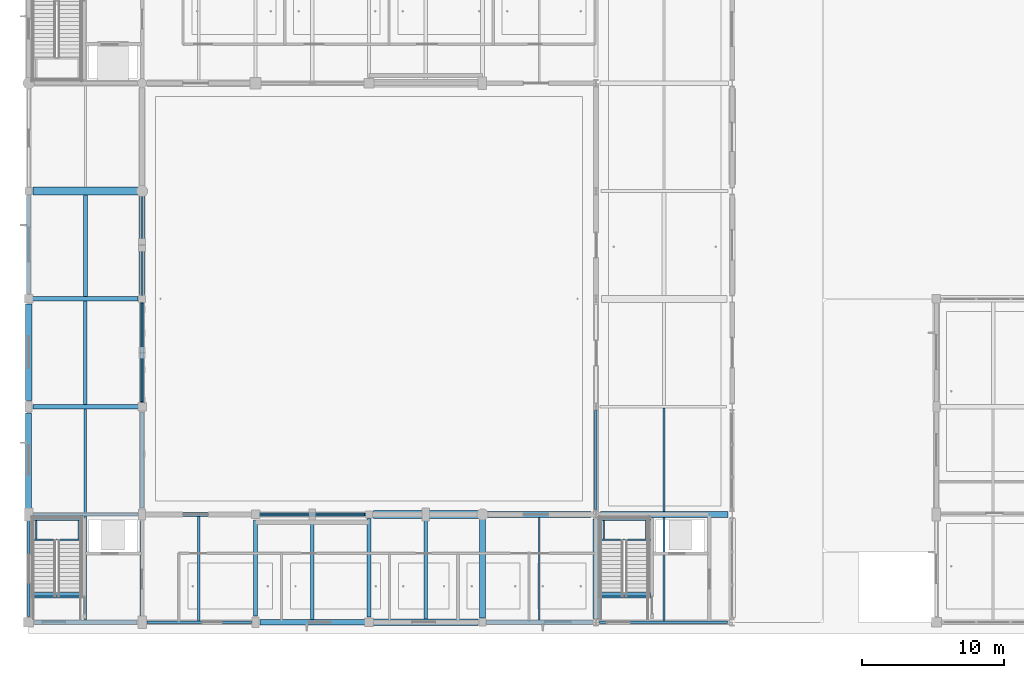
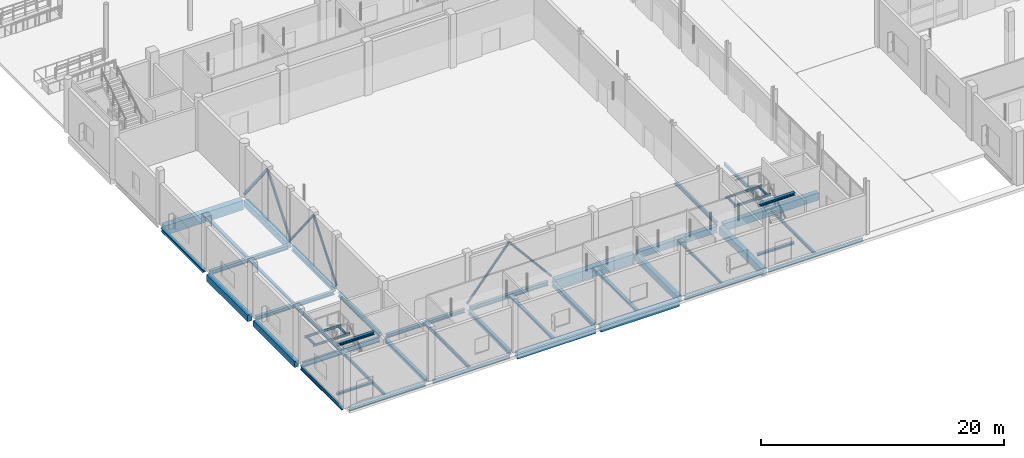
# One storey, part 11 of 126: 50 beams, 6 members.
"""IFC4 building model written with IfcOpenShell, lengths in metres."""

from ifc_helpers import new_model, si_unit, direction, frame, origin, origin_2d, place, context, subcontext, project, spatial, rectangle, hollow_rectangle, hollow_circle, i_section, extrude, material, material_profile, profile_set, type_object, element, save


model = new_model("IFC4")

# Units and contexts
model_context = context("Model", 3, precision=1e-05, world=origin(), true_north=direction((0.0, 1.0)))
body_context = subcontext(model_context, "Body", "Model", "MODEL_VIEW")
ifc_project = project(units=[si_unit("LENGTHUNIT", "METRE"), si_unit("AREAUNIT", "SQUARE_METRE"), si_unit("VOLUMEUNIT", "CUBIC_METRE"), si_unit("PLANEANGLEUNIT", "RADIAN"), si_unit("MASSUNIT", "GRAM", prefix="KILO")], contexts=[model_context])

# Site, building, storey
site_placement = place(None, origin())
site = spatial("IfcSite", under=ifc_project, at=site_placement, CompositionType="ELEMENT")
building_placement = place(site_placement, origin())
building = spatial("IfcBuilding", under=site, at=building_placement, Name="Khelvaren Railside Concert Hall", CompositionType="ELEMENT")
storey_placement = place(building_placement, origin())
storey = spatial("IfcBuildingStorey", under=building, at=storey_placement, Name="L00", CompositionType="ELEMENT", Elevation=0.0)

# Beams
ifc_material_1 = material(Name="Steel S355", Category="steel")
ifc_material_profile_1 = material_profile(ifc_material_1, i_section(OverallWidth=0.300048828125, OverallDepth=0.389892578125, WebThickness=0.010986328125, FlangeThickness=0.01904296875, FilletRadius=0.027099609375, at=origin_2d()), Name="HEA 400")
ifc_profile_set_1 = profile_set([ifc_material_profile_1], Name="Steel S355")
beam_type_1 = type_object("IfcBeamType", Name="BM23", PredefinedType="BEAM", material=ifc_profile_set_1)
for number, where, z_axis, x_axis, name in (
    (1, (16.25, 7.60009765625, -0.514892578125), (1.0, 0.0, 0.0), (0.0, 1.0, 0.0), "V1 L00 Beam X2.3"),
    (2, (0.25, 22.800048828125, -0.514892578125), (1.0, 0.0, 0.0), (0.0, 1.0, 0.0), "V1 L00 Beam X4.1"),
):
    element("IfcBeam", number, at=place(storey_placement, frame(where, z_axis=z_axis, x_axis=x_axis)), inside=storey, type_object=beam_type_1, Name=name, PredefinedType="BEAM", context=body_context, shape_type="SweptSolid", body=[
        extrude(i_section(OverallWidth=0.300048828125, OverallDepth=0.389892578125, WebThickness=0.010986328125, FlangeThickness=0.01904296875, FilletRadius=0.027099609375, at=origin_2d()), origin(), (0.0, 0.0, 1.0), 7.449951171875),
    ])
beam_1_placement = place(storey_placement, frame((8.0, 8.050048828125, -0.514892578125), z_axis=(0.0, 1.0, 0.0), x_axis=(-1.0, 0.0, 0.0)))
element("IfcBeam", 3, at=beam_1_placement, inside=storey, type_object=beam_type_1, Name="V1 L00 Beam Y2.2", PredefinedType="BEAM", context=body_context, shape_type="SweptSolid", body=[
    extrude(i_section(OverallWidth=0.300048828125, OverallDepth=0.389892578125, WebThickness=0.010986328125, FlangeThickness=0.01904296875, FilletRadius=0.027099609375, at=origin_2d()), origin(), (0.0, 0.0, 1.0), 6.77490234375),
])
beam_2_placement = place(storey_placement, frame((16.0, 0.449951171875, -0.514892578125), z_axis=(0.0, 1.0, 0.0), x_axis=(-1.0, 0.0, 0.0)))
element("IfcBeam", 4, at=beam_2_placement, inside=storey, type_object=beam_type_1, Name="V1 L00 Beam Y3.1", PredefinedType="BEAM", context=body_context, shape_type="SweptSolid", body=[
    extrude(i_section(OverallWidth=0.300048828125, OverallDepth=0.389892578125, WebThickness=0.010986328125, FlangeThickness=0.01904296875, FilletRadius=0.027099609375, at=origin_2d()), origin(), (0.0, 0.0, 1.0), 6.775146484375),
])
ifc_material_profile_2 = material_profile(ifc_material_1, i_section(OverallWidth=0.179931640625, OverallDepth=0.39990234375, WebThickness=0.008544921875, FlangeThickness=0.013427734375, FilletRadius=0.02099609375, at=origin_2d()), Name="IPE 400")
ifc_profile_set_2 = profile_set([ifc_material_profile_2], Name="Steel S355")
beam_type_2 = type_object("IfcBeamType", Name="BM29", PredefinedType="BEAM", material=ifc_profile_set_2)
beam_3_placement = place(storey_placement, frame((40.0, 7.93603515625, -0.52001953125), z_axis=(0.0, 1.0, 0.0), x_axis=(-1.0, 0.0, 0.0)))
element("IfcBeam", 5, at=beam_3_placement, inside=storey, type_object=beam_type_2, Name="V1 L00 Beam Y6.2", PredefinedType="BEAM", context=body_context, shape_type="SweptSolid", body=[
    extrude(i_section(OverallWidth=0.179931640625, OverallDepth=0.39990234375, WebThickness=0.008544921875, FlangeThickness=0.013427734375, FilletRadius=0.02099609375, at=origin_2d()), origin(), (0.0, 0.0, 1.0), 6.990966796875),
])
ifc_material_2 = material(Name="Concrete C40/50", Category="concrete")
ifc_material_profile_3 = material_profile(ifc_material_2, rectangle(XDim=0.39990234375, YDim=0.64990234375, at=origin_2d()), Name="RCB 400x650")
ifc_profile_set_3 = profile_set([ifc_material_profile_3], Name="Concrete C40/50")
beam_type_3 = type_object("IfcBeamType", Name="BM33", PredefinedType="BEAM", material=ifc_profile_set_3)
beam_4_placement = place(storey_placement, frame((32.25, 7.60009765625, -0.64501953125), z_axis=(1.0, 0.0, 0.0), x_axis=(0.0, 1.0, 0.0)))
element("IfcBeam", 6, at=beam_4_placement, inside=storey, type_object=beam_type_3, Name="V1 L00 Beam X2.5", PredefinedType="BEAM", context=body_context, shape_type="SweptSolid", body=[
    extrude(rectangle(XDim=0.39990234375, YDim=0.64990234375, at=origin_2d()), origin(), (0.0, 0.0, 1.0), 7.4140625),
])
beam_5_placement = place(storey_placement, frame((8.0, 23.10009765625, -0.64501953125), z_axis=(0.0, 1.0, 0.0), x_axis=(-1.0, 0.0, 0.0)))
element("IfcBeam", 7, at=beam_5_placement, inside=storey, type_object=beam_type_3, Name="V1 L00 Beam Y2.4", PredefinedType="BEAM", context=body_context, shape_type="SweptSolid", body=[
    extrude(rectangle(XDim=0.39990234375, YDim=0.64990234375, at=origin_2d()), origin(), (0.0, 0.0, 1.0), 7.0498046875),
])
beam_6_placement = place(storey_placement, frame((32.0, 0.300048828125, -0.64501953125), z_axis=(0.0, 1.0, 0.0), x_axis=(-1.0, 0.0, 0.0)))
element("IfcBeam", 8, at=beam_6_placement, inside=storey, type_object=beam_type_3, Name="V1 L00 Beam Y5.1", PredefinedType="BEAM", context=body_context, shape_type="SweptSolid", body=[
    extrude(rectangle(XDim=0.39990234375, YDim=0.64990234375, at=origin_2d()), origin(), (0.0, 0.0, 1.0), 7.050048828125),
])
ifc_material_profile_4 = material_profile(ifc_material_1, i_section(OverallWidth=0.239990234375, OverallDepth=0.22998046875, WebThickness=0.007568359375, FlangeThickness=0.011962890625, FilletRadius=0.02099609375, at=origin_2d()), Name="HEA 240")
ifc_profile_set_4 = profile_set([ifc_material_profile_4], Name="Steel S355")
beam_type_4 = type_object("IfcBeamType", Name="BM42", PredefinedType="BEAM", material=ifc_profile_set_4)
for number, where, z_axis, x_axis, name in (
    (9, (0.344970703125, 1.960693359375, -0.114990234375), (1.0, 0.0, 0.0), (0.0, 1.0, 0.0), "ST-01 L00 Stair Foot Trimmer Beam"),
    (10, (40.344970703125, 1.960693359375, -0.114990234375), (1.0, 0.0, 0.0), (0.0, 1.0, 0.0), "ST-02 L00 Stair Foot Trimmer Beam"),
):
    element("IfcBeam", number, at=place(storey_placement, frame(where, z_axis=z_axis, x_axis=x_axis)), inside=storey, type_object=beam_type_4, Name=name, PredefinedType="BEAM", context=body_context, shape_type="SweptSolid", body=[
        extrude(i_section(OverallWidth=0.239990234375, OverallDepth=0.22998046875, WebThickness=0.007568359375, FlangeThickness=0.011962890625, FilletRadius=0.02099609375, at=origin_2d()), origin(), (0.0, 0.0, 1.0), 3.4951171875),
    ])
ifc_material_profile_5 = material_profile(ifc_material_1, i_section(OverallWidth=0.199951171875, OverallDepth=0.5, WebThickness=0.01025390625, FlangeThickness=0.01611328125, FilletRadius=0.02099609375, at=origin_2d()), Name="IPE 500")
ifc_profile_set_5 = profile_set([ifc_material_profile_5], Name="Steel S355")
beam_type_5 = type_object("IfcBeamType", Name="BM62", PredefinedType="BEAM", material=ifc_profile_set_5)
beam_7_placement = place(storey_placement, frame((0.35009765625, 7.60009765625, -0.570068359375), z_axis=(1.0, 0.0, 0.0), x_axis=(0.0, 1.0, 0.0)))
element("IfcBeam", 11, at=beam_7_placement, inside=storey, type_object=beam_type_5, Name="V1 L00 Beam X2.1", PredefinedType="BEAM", context=body_context, shape_type="SweptSolid", body=[
    extrude(i_section(OverallWidth=0.199951171875, OverallDepth=0.5, WebThickness=0.01025390625, FlangeThickness=0.01611328125, FilletRadius=0.02099609375, at=origin_2d()), origin(), (0.0, 0.0, 1.0), 7.349853515625),
])
ifc_material_profile_6 = material_profile(ifc_material_1, i_section(OverallWidth=0.300048828125, OverallDepth=0.35009765625, WebThickness=0.010009765625, FlangeThickness=0.017578125, FilletRadius=0.027099609375, at=origin_2d()), Name="HEA 360")
ifc_profile_set_6 = profile_set([ifc_material_profile_6], Name="Steel S355")
beam_type_6 = type_object("IfcBeamType", Name="BM73", PredefinedType="BEAM", material=ifc_profile_set_6)
for number, where, z_axis, x_axis, name in (
    (12, (8.300048828125, 7.60009765625, -0.4951171875), (1.0, 0.0, 0.0), (0.0, 1.0, 0.0), "V1 L00 Beam X2.2"),
    (13, (0.300048828125, 15.199951171875, -0.4951171875), (1.0, 0.0, 0.0), (0.0, 1.0, 0.0), "V1 L00 Beam X3.1"),
):
    element("IfcBeam", number, at=place(storey_placement, frame(where, z_axis=z_axis, x_axis=x_axis)), inside=storey, type_object=beam_type_6, Name=name, PredefinedType="BEAM", context=body_context, shape_type="SweptSolid", body=[
        extrude(i_section(OverallWidth=0.300048828125, OverallDepth=0.35009765625, WebThickness=0.010009765625, FlangeThickness=0.017578125, FilletRadius=0.027099609375, at=origin_2d()), origin(), (0.0, 0.0, 1.0), 7.449951171875),
    ])
beam_8_placement = place(storey_placement, frame((8.0, 0.35009765625, -0.4951171875), z_axis=(0.0, 1.0, 0.0), x_axis=(-1.0, 0.0, 0.0)))
element("IfcBeam", 14, at=beam_8_placement, inside=storey, type_object=beam_type_6, Name="V1 L00 Beam Y2.1", PredefinedType="BEAM", context=body_context, shape_type="SweptSolid", body=[
    extrude(i_section(OverallWidth=0.300048828125, OverallDepth=0.35009765625, WebThickness=0.010009765625, FlangeThickness=0.017578125, FilletRadius=0.027099609375, at=origin_2d()), origin(), (0.0, 0.0, 1.0), 6.7998046875),
])
ifc_material_profile_7 = material_profile(ifc_material_2, rectangle(XDim=0.449951171875, YDim=0.75, at=origin_2d()), Name="RCB 450x750")
ifc_profile_set_7 = profile_set([ifc_material_profile_7], Name="Concrete C40/50")
beam_type_7 = type_object("IfcBeamType", Name="BM83", PredefinedType="BEAM", material=ifc_profile_set_7)
beam_9_placement = place(storey_placement, frame((40.3359375, 7.60009765625, -0.695068359375), z_axis=(1.0, 0.0, 0.0), x_axis=(0.0, 1.0, 0.0)))
element("IfcBeam", 15, at=beam_9_placement, inside=storey, type_object=beam_type_7, Name="V1 L00 Beam X2.6", PredefinedType="BEAM", context=body_context, shape_type="SweptSolid", body=[
    extrude(rectangle(XDim=0.449951171875, YDim=0.75, at=origin_2d()), origin(), (0.0, 0.0, 1.0), 8.990966796875),
])
beam_10_placement = place(storey_placement, frame((40.0, 0.25, -0.695068359375), z_axis=(0.0, 1.0, 0.0), x_axis=(-1.0, 0.0, 0.0)))
element("IfcBeam", 16, at=beam_10_placement, inside=storey, type_object=beam_type_7, Name="V1 L00 Beam Y6.1", PredefinedType="BEAM", context=body_context, shape_type="SweptSolid", body=[
    extrude(rectangle(XDim=0.449951171875, YDim=0.75, at=origin_2d()), origin(), (0.0, 0.0, 1.0), 7.013916015625),
])
ifc_material_profile_8 = material_profile(ifc_material_1, i_section(OverallWidth=0.110107421875, OverallDepth=0.219970703125, WebThickness=0.005859375, FlangeThickness=0.00927734375, FilletRadius=0.011962890625, at=origin_2d()), Name="IPE 220")
ifc_profile_set_8 = profile_set([ifc_material_profile_8], Name="Steel S355")
beam_type_8 = type_object("IfcBeamType", Name="BM87", PredefinedType="BEAM", material=ifc_profile_set_8)
for number, where, z_axis, x_axis, name in (
    (17, (0.344970703125, 5.824951171875, 2.389892578125), (1.0, 0.0, 0.0), (0.0, 1.0, 0.0), "ST-01 L00 Half-Landing Front Beam"),
    (18, (0.344970703125, 7.239990234375, 2.389892578125), (1.0, 0.0, 0.0), (0.0, 1.0, 0.0), "ST-01 L00 Half-Landing Rear Beam"),
):
    element("IfcBeam", number, at=place(storey_placement, frame(where, z_axis=z_axis, x_axis=x_axis)), inside=storey, type_object=beam_type_8, Name=name, PredefinedType="BEAM", context=body_context, shape_type="SweptSolid", body=[
        extrude(i_section(OverallWidth=0.110107421875, OverallDepth=0.219970703125, WebThickness=0.005859375, FlangeThickness=0.00927734375, FilletRadius=0.011962890625, at=origin_2d()), origin(), (0.0, 0.0, 1.0), 3.4951171875),
    ])
for number, where, z_axis, x_axis, name in (
    (19, (0.550048828125, 5.8798828125, 2.389892578125), (0.0, 1.0, 0.0), (-1.0, 0.0, 0.0), "ST-01 L00 Half-Landing Side Tie W"),
    (20, (3.550048828125, 5.8798828125, 2.389892578125), (0.0, 1.0, 0.0), (-1.0, 0.0, 0.0), "ST-01 L00 Half-Landing Side Tie E"),
):
    element("IfcBeam", number, at=place(storey_placement, frame(where, z_axis=z_axis, x_axis=x_axis)), inside=storey, type_object=beam_type_8, Name=name, PredefinedType="BEAM", context=body_context, shape_type="SweptSolid", body=[
        extrude(i_section(OverallWidth=0.110107421875, OverallDepth=0.219970703125, WebThickness=0.005859375, FlangeThickness=0.00927734375, FilletRadius=0.011962890625, at=origin_2d()), origin(), (0.0, 0.0, 1.0), 1.30517578125),
    ])
for number, where, z_axis, x_axis, name in (
    (21, (40.344970703125, 5.824951171875, 2.389892578125), (1.0, 0.0, 0.0), (0.0, 1.0, 0.0), "ST-02 L00 Half-Landing Front Beam"),
    (22, (40.344970703125, 7.239990234375, 2.389892578125), (1.0, 0.0, 0.0), (0.0, 1.0, 0.0), "ST-02 L00 Half-Landing Rear Beam"),
):
    element("IfcBeam", number, at=place(storey_placement, frame(where, z_axis=z_axis, x_axis=x_axis)), inside=storey, type_object=beam_type_8, Name=name, PredefinedType="BEAM", context=body_context, shape_type="SweptSolid", body=[
        extrude(i_section(OverallWidth=0.110107421875, OverallDepth=0.219970703125, WebThickness=0.005859375, FlangeThickness=0.00927734375, FilletRadius=0.011962890625, at=origin_2d()), origin(), (0.0, 0.0, 1.0), 3.4951171875),
    ])
for number, where, z_axis, x_axis, name in (
    (23, (40.550048828125, 5.8798828125, 2.389892578125), (0.0, 1.0, 0.0), (-1.0, 0.0, 0.0), "ST-02 L00 Half-Landing Side Tie W"),
    (24, (43.550048828125, 5.8798828125, 2.389892578125), (0.0, 1.0, 0.0), (-1.0, 0.0, 0.0), "ST-02 L00 Half-Landing Side Tie E"),
):
    element("IfcBeam", number, at=place(storey_placement, frame(where, z_axis=z_axis, x_axis=x_axis)), inside=storey, type_object=beam_type_8, Name=name, PredefinedType="BEAM", context=body_context, shape_type="SweptSolid", body=[
        extrude(i_section(OverallWidth=0.110107421875, OverallDepth=0.219970703125, WebThickness=0.005859375, FlangeThickness=0.00927734375, FilletRadius=0.011962890625, at=origin_2d()), origin(), (0.0, 0.0, 1.0), 1.30517578125),
    ])
ifc_material_profile_9 = material_profile(ifc_material_1, i_section(OverallWidth=0.300048828125, OverallDepth=0.43994140625, WebThickness=0.011474609375, FlangeThickness=0.02099609375, FilletRadius=0.027099609375, at=origin_2d()), Name="HEA 450")
ifc_profile_set_9 = profile_set([ifc_material_profile_9], Name="Steel S355")
beam_type_9 = type_object("IfcBeamType", Name="BM89", PredefinedType="BEAM", material=ifc_profile_set_9)
for number, where, z_axis, x_axis, name in (
    (25, (8.0, 15.574951171875, -0.5400390625), (0.0, 1.0, 0.0), (-1.0, 0.0, 0.0), "V1 L00 Beam Y2.3"),
    (26, (24.0, 0.375, -0.5400390625), (0.0, 1.0, 0.0), (-1.0, 0.0, 0.0), "V1 L00 Beam Y4.1"),
):
    element("IfcBeam", number, at=place(storey_placement, frame(where, z_axis=z_axis, x_axis=x_axis)), inside=storey, type_object=beam_type_9, Name=name, PredefinedType="BEAM", context=body_context, shape_type="SweptSolid", body=[
        extrude(i_section(OverallWidth=0.300048828125, OverallDepth=0.43994140625, WebThickness=0.011474609375, FlangeThickness=0.02099609375, FilletRadius=0.027099609375, at=origin_2d()), origin(), (0.0, 0.0, 1.0), 6.925048828125),
    ])
ifc_material_profile_10 = material_profile(ifc_material_1, i_section(OverallWidth=0.280029296875, OverallDepth=0.27001953125, WebThickness=0.008056640625, FlangeThickness=0.012939453125, FilletRadius=0.02392578125, at=origin_2d()), Name="HEA 280")
ifc_profile_set_10 = profile_set([ifc_material_profile_10], Name="Steel S355")
beam_type_10 = type_object("IfcBeamType", Name="BM93", PredefinedType="BEAM", material=ifc_profile_set_10)
for number, where, z_axis, x_axis, name in (
    (27, (0.344970703125, 1.860107421875, 4.90673828125), (1.0, 0.0, 0.0), (0.0, 1.0, 0.0), "ST-01 L00 Stair Top Arrival Trimmer Beam"),
    (28, (40.344970703125, 1.860107421875, 4.90673828125), (1.0, 0.0, 0.0), (0.0, 1.0, 0.0), "ST-02 L00 Stair Top Arrival Trimmer Beam"),
):
    element("IfcBeam", number, at=place(storey_placement, frame(where, z_axis=z_axis, x_axis=x_axis)), inside=storey, type_object=beam_type_10, Name=name, PredefinedType="BEAM", context=body_context, shape_type="SweptSolid", body=[
        extrude(i_section(OverallWidth=0.280029296875, OverallDepth=0.27001953125, WebThickness=0.008056640625, FlangeThickness=0.012939453125, FilletRadius=0.02392578125, at=origin_2d()), origin(), (0.0, 0.0, 1.0), 3.4951171875),
    ])

# Members
ifc_material_profile_11 = material_profile(ifc_material_1, hollow_circle(Radius=0.109619140625, WallThickness=0.012451171875, at=origin_2d()), Name="CHS 219.1x12.5")
ifc_profile_set_11 = profile_set([ifc_material_profile_11], Name="Steel S355")
member_type_1 = type_object("IfcMemberType", Name="BR37", PredefinedType="BRACE", material=ifc_profile_set_11)
for number, where, z_axis, x_axis, name in (
    (29, (8.0, 15.199951171875, 0.050048828125), (0.0, 0.620703965791, 0.784045015832), (-1.0, 0.0, 0.0), "V1 L00 Seismic Chevron Brace 1"),
    (30, (8.0, 22.800048828125, 0.050048828125), (0.0, -0.620703965791, 0.784045015832), (1.0, 0.0, 0.0), "V1 L00 Seismic Chevron Brace 2"),
):
    element("IfcMember", number, at=place(storey_placement, frame(where, z_axis=z_axis, x_axis=x_axis)), inside=storey, type_object=member_type_1, Name=name, PredefinedType="BRACE", context=body_context, shape_type="SweptSolid", body=[
        extrude(hollow_circle(Radius=0.109619140625, WallThickness=0.012451171875, at=origin_2d()), origin(), (0.0, 0.0, 1.0), 6.1220703125),
    ])
for number, where, z_axis, x_axis, name in (
    (31, (16.0, 7.60009765625, 0.050048828125), (0.640180556359, 0.0, 0.768224482335), (0.0, 1.0, 0.0), "V1 L00 Seismic Chevron Brace 21"),
    (32, (24.0, 7.60009765625, 0.050048828125), (-0.640180556359, 0.0, 0.768224482335), (0.0, -1.0, 0.0), "V1 L00 Seismic Chevron Brace 22"),
):
    element("IfcMember", number, at=place(storey_placement, frame(where, z_axis=z_axis, x_axis=x_axis)), inside=storey, type_object=member_type_1, Name=name, PredefinedType="BRACE", context=body_context, shape_type="SweptSolid", body=[
        extrude(hollow_circle(Radius=0.109619140625, WallThickness=0.012451171875, at=origin_2d()), origin(), (0.0, 0.0, 1.0), 6.248291015625),
    ])
ifc_material_profile_12 = material_profile(ifc_material_1, hollow_rectangle(XDim=0.14990234375, YDim=0.25, WallThickness=0.012451171875, InnerFilletRadius=0.012451171875, OuterFilletRadius=0.01904296875, at=origin_2d()), Name="RHS 250x150x12.5")
ifc_profile_set_12 = profile_set([ifc_material_profile_12], Name="Steel S355")
member_type_2 = type_object("IfcMemberType", Name="BR52", PredefinedType="BRACE", material=ifc_profile_set_12)
for number, where, z_axis, x_axis, name in (
    (33, (8.0, 22.800048828125, 0.050048828125), (0.0, 0.620703965791, 0.784045015832), (-1.0, 0.0, 0.0), "V1 L00 Seismic Chevron Brace 11"),
    (34, (8.0, 30.39990234375, 0.050048828125), (0.0, -0.6206794507, 0.784064423041), (1.0, 0.0, 0.0), "V1 L00 Seismic Chevron Brace 12"),
):
    element("IfcMember", number, at=place(storey_placement, frame(where, z_axis=z_axis, x_axis=x_axis)), inside=storey, type_object=member_type_2, Name=name, PredefinedType="BRACE", context=body_context, shape_type="SweptSolid", body=[
        extrude(hollow_rectangle(XDim=0.14990234375, YDim=0.25, WallThickness=0.012451171875, InnerFilletRadius=0.012451171875, OuterFilletRadius=0.01904296875, at=origin_2d()), origin(), (0.0, 0.0, 1.0), 6.1220703125),
    ])

# Beams
ifc_material_profile_13 = material_profile(ifc_material_2, rectangle(XDim=0.550048828125, YDim=0.949951171875, at=origin_2d()), Name="RCB 550x950")
ifc_profile_set_13 = profile_set([ifc_material_profile_13], Name="Concrete C40/50")
beam_type_11 = type_object("IfcBeamType", Name="GR57", PredefinedType="T_BEAM", material=ifc_profile_set_13)
for number, where, z_axis, x_axis, name in (
    (35, (24.300048828125, 7.60009765625, -0.794921875), (1.0, 0.0, 0.0), (0.0, 1.0, 0.0), "V1 L00 T_Beam X2.4"),
    (36, (0.300048828125, 30.39990234375, -0.794921875), (1.0, 0.0, 0.0), (0.0, 1.0, 0.0), "V1 L00 T_Beam X5.1"),
):
    element("IfcBeam", number, at=place(storey_placement, frame(where, z_axis=z_axis, x_axis=x_axis)), inside=storey, type_object=beam_type_11, Name=name, PredefinedType="T_BEAM", context=body_context, shape_type="SweptSolid", body=[
        extrude(rectangle(XDim=0.550048828125, YDim=0.949951171875, at=origin_2d()), origin(), (0.0, 0.0, 1.0), 7.449951171875),
    ])
ifc_material_profile_14 = material_profile(ifc_material_1, i_section(OverallWidth=0.14990234375, OverallDepth=0.300048828125, WebThickness=0.007080078125, FlangeThickness=0.0107421875, FilletRadius=0.014892578125, at=origin_2d()), Name="IPE 300")
ifc_profile_set_14 = profile_set([ifc_material_profile_14], Name="Steel S355")
beam_type_12 = type_object("IfcBeamType", Name="JS26", PredefinedType="JOIST", material=ifc_profile_set_14)
beam_11_placement = place(storey_placement, frame((4.0, 0.14990234375, -0.469970703125), z_axis=(0.0, 1.0, 0.0), x_axis=(-1.0, 0.0, 0.0)))
element("IfcBeam", 37, at=beam_11_placement, inside=storey, type_object=beam_type_12, Name="V1 L00 Secondary Joist 1.1", PredefinedType="JOIST", context=body_context, shape_type="SweptSolid", body=[
    extrude(i_section(OverallWidth=0.14990234375, OverallDepth=0.300048828125, WebThickness=0.007080078125, FlangeThickness=0.0107421875, FilletRadius=0.014892578125, at=origin_2d()), origin(), (0.0, 0.0, 1.0), 7.35009765625),
])
beam_12_placement = place(storey_placement, frame((44.800048828125, 0.0849609375, -0.469970703125), z_axis=(0.0, 1.0, 0.0), x_axis=(-1.0, 0.0, 0.0)))
element("IfcBeam", 38, at=beam_12_placement, inside=storey, type_object=beam_type_12, Name="V1 L00 Secondary Joist 6.1", PredefinedType="JOIST", context=body_context, shape_type="SweptSolid", body=[
    extrude(i_section(OverallWidth=0.14990234375, OverallDepth=0.300048828125, WebThickness=0.007080078125, FlangeThickness=0.0107421875, FilletRadius=0.014892578125, at=origin_2d()), origin(), (0.0, 0.0, 1.0), 7.2900390625),
])
ifc_material_profile_15 = material_profile(ifc_material_1, i_section(OverallWidth=0.280029296875, OverallDepth=0.27001953125, WebThickness=0.008056640625, FlangeThickness=0.012939453125, FilletRadius=0.02392578125, at=origin_2d()), Name="HEA 280")
ifc_profile_set_15 = profile_set([ifc_material_profile_15], Name="Steel S355")
beam_type_13 = type_object("IfcBeamType", Name="JS46", PredefinedType="JOIST", material=ifc_profile_set_15)
beam_13_placement = place(storey_placement, frame((4.0, 22.949951171875, -0.455078125), z_axis=(0.0, 1.0, 0.0), x_axis=(-1.0, 0.0, 0.0)))
element("IfcBeam", 39, at=beam_13_placement, inside=storey, type_object=beam_type_13, Name="V1 L00 Secondary Joist 1.4", PredefinedType="JOIST", context=body_context, shape_type="SweptSolid", body=[
    extrude(i_section(OverallWidth=0.280029296875, OverallDepth=0.27001953125, WebThickness=0.008056640625, FlangeThickness=0.012939453125, FilletRadius=0.02392578125, at=origin_2d()), origin(), (0.0, 0.0, 1.0), 7.175048828125),
])
beam_14_placement = place(storey_placement, frame((28.0, 0.22509765625, -0.455078125), z_axis=(0.0, 1.0, 0.0), x_axis=(-1.0, 0.0, 0.0)))
element("IfcBeam", 40, at=beam_14_placement, inside=storey, type_object=beam_type_13, Name="V1 L00 Secondary Joist 4.1", PredefinedType="JOIST", context=body_context, shape_type="SweptSolid", body=[
    extrude(i_section(OverallWidth=0.280029296875, OverallDepth=0.27001953125, WebThickness=0.008056640625, FlangeThickness=0.012939453125, FilletRadius=0.02392578125, at=origin_2d()), origin(), (0.0, 0.0, 1.0), 7.099853515625),
])
ifc_material_profile_16 = material_profile(ifc_material_1, i_section(OverallWidth=0.159912109375, OverallDepth=0.330078125, WebThickness=0.007568359375, FlangeThickness=0.011474609375, FilletRadius=0.01806640625, at=origin_2d()), Name="IPE 330")
ifc_profile_set_16 = profile_set([ifc_material_profile_16], Name="Steel S355")
beam_type_14 = type_object("IfcBeamType", Name="JS65", PredefinedType="JOIST", material=ifc_profile_set_16)
beam_15_placement = place(storey_placement, frame((4.0, 7.699951171875, -0.485107421875), z_axis=(0.0, 1.0, 0.0), x_axis=(-1.0, 0.0, 0.0)))
element("IfcBeam", 41, at=beam_15_placement, inside=storey, type_object=beam_type_14, Name="V1 L00 Secondary Joist 1.2", PredefinedType="JOIST", context=body_context, shape_type="SweptSolid", body=[
    extrude(i_section(OverallWidth=0.159912109375, OverallDepth=0.330078125, WebThickness=0.007568359375, FlangeThickness=0.011474609375, FilletRadius=0.01806640625, at=origin_2d()), origin(), (0.0, 0.0, 1.0), 7.35009765625),
])
beam_16_placement = place(storey_placement, frame((12.0, 0.0849609375, -0.485107421875), z_axis=(0.0, 1.0, 0.0), x_axis=(-1.0, 0.0, 0.0)))
element("IfcBeam", 42, at=beam_16_placement, inside=storey, type_object=beam_type_14, Name="V1 L00 Secondary Joist 2.1", PredefinedType="JOIST", context=body_context, shape_type="SweptSolid", body=[
    extrude(i_section(OverallWidth=0.159912109375, OverallDepth=0.330078125, WebThickness=0.007568359375, FlangeThickness=0.011474609375, FilletRadius=0.01806640625, at=origin_2d()), origin(), (0.0, 0.0, 1.0), 7.364990234375),
])
beam_17_placement = place(storey_placement, frame((44.800048828125, 7.824951171875, -0.485107421875), z_axis=(0.0, 1.0, 0.0), x_axis=(-1.0, 0.0, 0.0)))
element("IfcBeam", 43, at=beam_17_placement, inside=storey, type_object=beam_type_14, Name="V1 L00 Secondary Joist 6.2", PredefinedType="JOIST", context=body_context, shape_type="SweptSolid", body=[
    extrude(i_section(OverallWidth=0.159912109375, OverallDepth=0.330078125, WebThickness=0.007568359375, FlangeThickness=0.011474609375, FilletRadius=0.01806640625, at=origin_2d()), origin(), (0.0, 0.0, 1.0), 7.28515625),
])
ifc_material_profile_17 = material_profile(ifc_material_1, i_section(OverallWidth=0.239990234375, OverallDepth=0.22998046875, WebThickness=0.007568359375, FlangeThickness=0.011962890625, FilletRadius=0.02099609375, at=origin_2d()), Name="HEA 240")
ifc_profile_set_17 = profile_set([ifc_material_profile_17], Name="Steel S355")
beam_type_15 = type_object("IfcBeamType", Name="JS76", PredefinedType="JOIST", material=ifc_profile_set_17)
beam_18_placement = place(storey_placement, frame((4.0, 15.35009765625, -0.43505859375), z_axis=(0.0, 1.0, 0.0), x_axis=(-1.0, 0.0, 0.0)))
element("IfcBeam", 44, at=beam_18_placement, inside=storey, type_object=beam_type_15, Name="V1 L00 Secondary Joist 1.3", PredefinedType="JOIST", context=body_context, shape_type="SweptSolid", body=[
    extrude(i_section(OverallWidth=0.239990234375, OverallDepth=0.22998046875, WebThickness=0.007568359375, FlangeThickness=0.011962890625, FilletRadius=0.02099609375, at=origin_2d()), origin(), (0.0, 0.0, 1.0), 7.2998046875),
])
beam_19_placement = place(storey_placement, frame((20.0, 0.199951171875, -0.43505859375), z_axis=(0.0, 1.0, 0.0), x_axis=(-1.0, 0.0, 0.0)))
element("IfcBeam", 45, at=beam_19_placement, inside=storey, type_object=beam_type_15, Name="V1 L00 Secondary Joist 3.1", PredefinedType="JOIST", context=body_context, shape_type="SweptSolid", body=[
    extrude(i_section(OverallWidth=0.239990234375, OverallDepth=0.22998046875, WebThickness=0.007568359375, FlangeThickness=0.011962890625, FilletRadius=0.02099609375, at=origin_2d()), origin(), (0.0, 0.0, 1.0), 7.25),
])
ifc_material_profile_18 = material_profile(ifc_material_1, i_section(OverallWidth=0.135009765625, OverallDepth=0.27001953125, WebThickness=0.006591796875, FlangeThickness=0.01025390625, FilletRadius=0.014892578125, at=origin_2d()), Name="IPE 270")
ifc_profile_set_18 = profile_set([ifc_material_profile_18], Name="Steel S355")
beam_type_16 = type_object("IfcBeamType", Name="JS78", PredefinedType="JOIST", material=ifc_profile_set_18)
beam_20_placement = place(storey_placement, frame((36.0, 0.14990234375, -0.455078125), z_axis=(0.0, 1.0, 0.0), x_axis=(-1.0, 0.0, 0.0)))
element("IfcBeam", 46, at=beam_20_placement, inside=storey, type_object=beam_type_16, Name="V1 L00 Secondary Joist 5.1", PredefinedType="JOIST", context=body_context, shape_type="SweptSolid", body=[
    extrude(i_section(OverallWidth=0.135009765625, OverallDepth=0.27001953125, WebThickness=0.006591796875, FlangeThickness=0.01025390625, FilletRadius=0.014892578125, at=origin_2d()), origin(), (0.0, 0.0, 1.0), 7.25),
])
ifc_material_profile_19 = material_profile(ifc_material_2, rectangle(XDim=0.449951171875, YDim=0.64990234375, at=origin_2d()), Name="RCB 450x650")
ifc_profile_set_19 = profile_set([ifc_material_profile_19], Name="Concrete C40/50")
beam_type_17 = type_object("IfcBeamType", Name="SP34", PredefinedType="SPANDREL", material=ifc_profile_set_19)
beam_21_placement = place(storey_placement, frame((24.25, 0.0, -0.64501953125), z_axis=(1.0, 0.0, 0.0), x_axis=(0.0, 1.0, 0.0)))
element("IfcBeam", 47, at=beam_21_placement, inside=storey, type_object=beam_type_17, Name="V1 L00 Spandrel X1.4", PredefinedType="SPANDREL", context=body_context, shape_type="SweptSolid", body=[
    extrude(rectangle(XDim=0.449951171875, YDim=0.64990234375, at=origin_2d()), origin(), (0.0, 0.0, 1.0), 7.449951171875),
])
beam_22_placement = place(storey_placement, frame((0.0, 15.64990234375, -0.64501953125), z_axis=(0.0, 1.0, 0.0), x_axis=(-1.0, 0.0, 0.0)))
element("IfcBeam", 48, at=beam_22_placement, inside=storey, type_object=beam_type_17, Name="V1 L00 Spandrel Y1.3", PredefinedType="SPANDREL", context=body_context, shape_type="SweptSolid", body=[
    extrude(rectangle(XDim=0.449951171875, YDim=0.64990234375, at=origin_2d()), origin(), (0.0, 0.0, 1.0), 6.775146484375),
])
ifc_material_profile_20 = material_profile(ifc_material_1, i_section(OverallWidth=0.300048828125, OverallDepth=0.31005859375, WebThickness=0.009033203125, FlangeThickness=0.015380859375, FilletRadius=0.027099609375, at=origin_2d()), Name="HEA 320")
ifc_profile_set_20 = profile_set([ifc_material_profile_20], Name="Steel S355")
beam_type_18 = type_object("IfcBeamType", Name="SP66", PredefinedType="SPANDREL", material=ifc_profile_set_20)
beam_23_placement = place(storey_placement, frame((0.39990234375, 0.0, -0.47509765625), z_axis=(1.0, 0.0, 0.0), x_axis=(0.0, 1.0, 0.0)))
element("IfcBeam", 49, at=beam_23_placement, inside=storey, type_object=beam_type_18, Name="V1 L00 Spandrel X1.1", PredefinedType="SPANDREL", context=body_context, shape_type="SweptSolid", body=[
    extrude(i_section(OverallWidth=0.300048828125, OverallDepth=0.31005859375, WebThickness=0.009033203125, FlangeThickness=0.015380859375, FilletRadius=0.027099609375, at=origin_2d()), origin(), (0.0, 0.0, 1.0), 7.25),
])
beam_24_placement = place(storey_placement, frame((32.300048828125, 0.0, -0.47509765625), z_axis=(1.0, 0.0, 0.0), x_axis=(0.0, 1.0, 0.0)))
element("IfcBeam", 50, at=beam_24_placement, inside=storey, type_object=beam_type_18, Name="V1 L00 Spandrel X1.5", PredefinedType="SPANDREL", context=body_context, shape_type="SweptSolid", body=[
    extrude(i_section(OverallWidth=0.300048828125, OverallDepth=0.31005859375, WebThickness=0.009033203125, FlangeThickness=0.015380859375, FilletRadius=0.027099609375, at=origin_2d()), origin(), (0.0, 0.0, 1.0), 7.449951171875),
])
beam_25_placement = place(storey_placement, frame((0.0, 23.175048828125, -0.47509765625), z_axis=(0.0, 1.0, 0.0), x_axis=(-1.0, 0.0, 0.0)))
element("IfcBeam", 51, at=beam_25_placement, inside=storey, type_object=beam_type_18, Name="V1 L00 Spandrel Y1.4", PredefinedType="SPANDREL", context=body_context, shape_type="SweptSolid", body=[
    extrude(i_section(OverallWidth=0.300048828125, OverallDepth=0.31005859375, WebThickness=0.009033203125, FlangeThickness=0.015380859375, FilletRadius=0.027099609375, at=origin_2d()), origin(), (0.0, 0.0, 1.0), 6.925048828125),
])
ifc_material_profile_21 = material_profile(ifc_material_1, i_section(OverallWidth=0.169921875, OverallDepth=0.360107421875, WebThickness=0.008056640625, FlangeThickness=0.0126953125, FilletRadius=0.01806640625, at=origin_2d()), Name="IPE 360")
ifc_profile_set_21 = profile_set([ifc_material_profile_21], Name="Steel S355")
beam_type_19 = type_object("IfcBeamType", Name="SP74", PredefinedType="SPANDREL", material=ifc_profile_set_21)
beam_26_placement = place(storey_placement, frame((8.35009765625, 0.0, -0.5), z_axis=(1.0, 0.0, 0.0), x_axis=(0.0, 1.0, 0.0)))
element("IfcBeam", 52, at=beam_26_placement, inside=storey, type_object=beam_type_19, Name="V1 L00 Spandrel X1.2", PredefinedType="SPANDREL", context=body_context, shape_type="SweptSolid", body=[
    extrude(i_section(OverallWidth=0.169921875, OverallDepth=0.360107421875, WebThickness=0.008056640625, FlangeThickness=0.0126953125, FilletRadius=0.01806640625, at=origin_2d()), origin(), (0.0, 0.0, 1.0), 7.349853515625),
])
beam_27_placement = place(storey_placement, frame((40.25, 0.0, -0.5), z_axis=(1.0, 0.0, 0.0), x_axis=(0.0, 1.0, 0.0)))
element("IfcBeam", 53, at=beam_27_placement, inside=storey, type_object=beam_type_19, Name="V1 L00 Spandrel X1.6", PredefinedType="SPANDREL", context=body_context, shape_type="SweptSolid", body=[
    extrude(i_section(OverallWidth=0.169921875, OverallDepth=0.360107421875, WebThickness=0.008056640625, FlangeThickness=0.0126953125, FilletRadius=0.01806640625, at=origin_2d()), origin(), (0.0, 0.0, 1.0), 9.013916015625),
])
beam_28_placement = place(storey_placement, frame((0.0, 0.39990234375, -0.5), z_axis=(0.0, 1.0, 0.0), x_axis=(-1.0, 0.0, 0.0)))
element("IfcBeam", 54, at=beam_28_placement, inside=storey, type_object=beam_type_19, Name="V1 L00 Spandrel Y1.1", PredefinedType="SPANDREL", context=body_context, shape_type="SweptSolid", body=[
    extrude(i_section(OverallWidth=0.169921875, OverallDepth=0.360107421875, WebThickness=0.008056640625, FlangeThickness=0.0126953125, FilletRadius=0.01806640625, at=origin_2d()), origin(), (0.0, 0.0, 1.0), 6.85009765625),
])
ifc_material_profile_22 = material_profile(ifc_material_2, rectangle(XDim=0.39990234375, YDim=0.60009765625, at=origin_2d()), Name="RCB 400x600")
ifc_profile_set_22 = profile_set([ifc_material_profile_22], Name="Concrete C40/50")
beam_type_20 = type_object("IfcBeamType", Name="SP75", PredefinedType="SPANDREL", material=ifc_profile_set_22)
beam_29_placement = place(storey_placement, frame((16.300048828125, 0.0, -0.6201171875), z_axis=(1.0, 0.0, 0.0), x_axis=(0.0, 1.0, 0.0)))
element("IfcBeam", 55, at=beam_29_placement, inside=storey, type_object=beam_type_20, Name="V1 L00 Spandrel X1.3", PredefinedType="SPANDREL", context=body_context, shape_type="SweptSolid", body=[
    extrude(rectangle(XDim=0.39990234375, YDim=0.60009765625, at=origin_2d()), origin(), (0.0, 0.0, 1.0), 7.449951171875),
])
beam_30_placement = place(storey_placement, frame((0.0, 7.949951171875, -0.6201171875), z_axis=(0.0, 1.0, 0.0), x_axis=(-1.0, 0.0, 0.0)))
element("IfcBeam", 56, at=beam_30_placement, inside=storey, type_object=beam_type_20, Name="V1 L00 Spandrel Y1.2", PredefinedType="SPANDREL", context=body_context, shape_type="SweptSolid", body=[
    extrude(rectangle(XDim=0.39990234375, YDim=0.60009765625, at=origin_2d()), origin(), (0.0, 0.0, 1.0), 6.800048828125),
])

save(model, "model.ifc")
